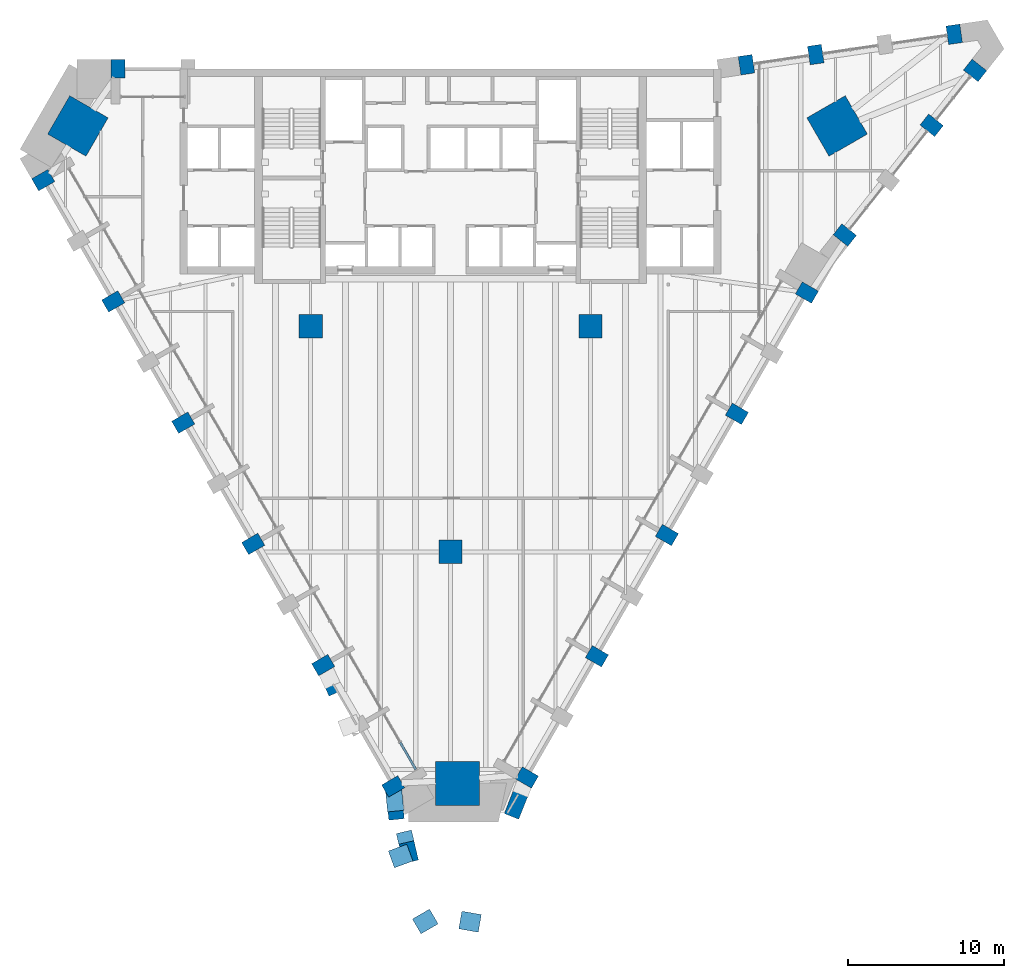
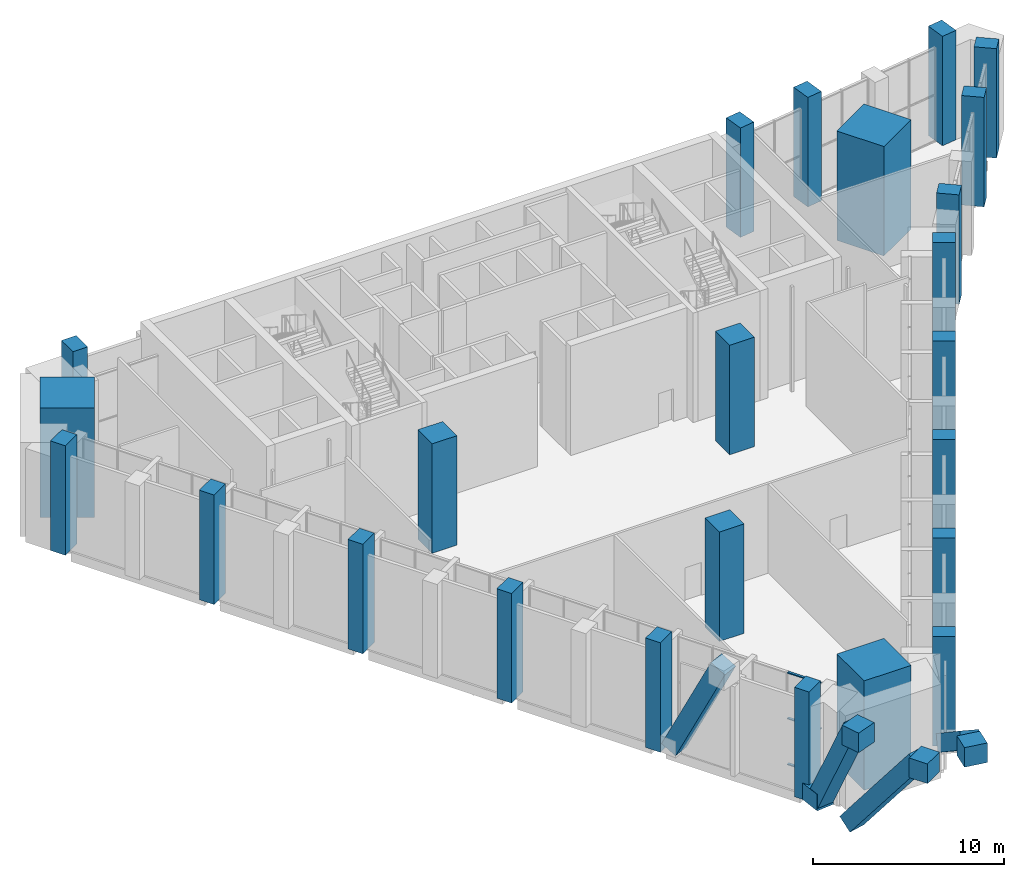
# One storey, part 1 of 17: 28 columns, 4 beams, 3 members, 1 element without a shape of its own.
"""IFC4 building model written with IfcOpenShell, lengths in metres."""

from ifc_helpers import new_model, si_unit, direction, frame, origin, origin_2d, place, context, subcontext, project, spatial, rectangle, extrude, clip, halfspace, material, material_profile, profile_set, type_object, element, aggregate, save


model = new_model("IFC4")

# Units and contexts
model_context = context("Model", 3, precision=1e-05, world=origin(), true_north=direction((0.0, 1.0)))
body_context = subcontext(model_context, "Body", "Model", "MODEL_VIEW")
ifc_project = project(units=[si_unit("LENGTHUNIT", "METRE"), si_unit("AREAUNIT", "SQUARE_METRE"), si_unit("VOLUMEUNIT", "CUBIC_METRE"), si_unit("PLANEANGLEUNIT", "RADIAN"), si_unit("MASSUNIT", "GRAM", prefix="KILO")], contexts=[model_context])

# Site, building, storey
site_placement = place(None, origin())
site = spatial("IfcSite", under=ifc_project, at=site_placement, CompositionType="ELEMENT")
building_placement = place(site_placement, origin())
building = spatial("IfcBuilding", under=site, at=building_placement, Name="Calabash Gate Tower", CompositionType="ELEMENT")
storey_placement = place(building_placement, frame((0.0, 0.0, 132.60009765625)))
storey = spatial("IfcBuildingStorey", under=building, at=storey_placement, Name="L31", CompositionType="ELEMENT", Elevation=132.60009765625)

# Columns
ifc_material_1 = material(Name="Concrete C80/95", Category="concrete")
ifc_material_profile_1 = material_profile(ifc_material_1, rectangle(XDim=1.5, YDim=1.5, at=origin_2d()))
ifc_profile_set_1 = profile_set([ifc_material_profile_1], Name="Concrete C80/95")
column_type_1 = type_object("IfcColumnType", Name="Interior column RC 1500x1500 Concrete C80/95", PredefinedType="COLUMN", material=ifc_profile_set_1)
for number, where, z_axis, x_axis, name in (
    (1, (-9.0, 2.5, 0.0), (0.0, 0.0, 1.0), (1.0, 0.0, 0.0), "Interior column L31 I0"),
    (2, (9.0, 2.5, 0.0), (0.0, 0.0, 1.0), (1.0, 0.0, 0.0), "Interior column L31 I1"),
    (3, (0.0, -12.0, 0.0), (0.0, 0.0, 1.0), (1.0, 0.0, 0.0), "Interior column L31 I2"),
):
    element("IfcColumn", number, at=place(storey_placement, frame(where, z_axis=z_axis, x_axis=x_axis)), inside=storey, type_object=column_type_1, Name=name, PredefinedType="COLUMN", context=body_context, shape_type="SweptSolid", body=[
        extrude(rectangle(XDim=1.5, YDim=1.5, at=origin_2d()), origin(), (0.0, 0.0, 1.0), 7.0),
    ])
ifc_material_2 = material(Name="Concrete C80/95", Category="concrete")
ifc_material_profile_2 = material_profile(ifc_material_2, rectangle(XDim=2.85009765625, YDim=2.85009765625, at=origin_2d()))
ifc_profile_set_2 = profile_set([ifc_material_profile_2], Name="Concrete C80/95")
column_type_2 = type_object("IfcColumnType", Name="Mega column RC 2850x2850 Concrete C80/95", PredefinedType="COLUMN", material=ifc_profile_set_2)
for number, where, z_axis, x_axis, name in (
    (4, (-23.962890625, 15.382080078125, 0.0), (0.0, 0.0, 1.0), (0.866025403784, -0.5, 0.0), "Mega column L31 NW"),
    (5, (24.85205078125, 15.382080078125, 0.0), (0.0, 0.0, 1.0), (-0.866025403784, -0.5, 0.0), "Mega column L31 NE"),
    (6, (0.447021484375, -26.89306640625, 0.0), (0.0, 0.0, 1.0), (0.0, 1.0, 0.0), "Mega column L31 S"),
):
    element("IfcColumn", number, at=place(storey_placement, frame(where, z_axis=z_axis, x_axis=x_axis)), inside=storey, type_object=column_type_2, Name=name, PredefinedType="COLUMN", context=body_context, shape_type="SweptSolid", body=[
        extrude(rectangle(XDim=2.85009765625, YDim=2.85009765625, at=origin_2d()), origin(), (0.0, 0.0, 1.0), 7.0),
    ])
ifc_material_3 = material(Name="Concrete C70/85", Category="concrete")
ifc_material_profile_3 = material_profile(ifc_material_3, rectangle(XDim=0.89990234375, YDim=1.199951171875, at=origin_2d()))
ifc_profile_set_3 = profile_set([ifc_material_profile_3], Name="Concrete C70/85")
column_type_3 = type_object("IfcColumnType", Name="Perimeter column RC 900x1200 Concrete C70/85", PredefinedType="COLUMN", material=ifc_profile_set_3)
for number, where, z_axis, x_axis, name in (
    (7, (-26.18798828125, 11.89404296875, 0.0), (0.0, 0.0, 1.0), (0.5, -0.866025403784, 0.0), "Perimeter column L31 P20"),
    (8, (-21.68798828125, 4.10009765625, 0.0), (0.0, 0.0, 1.0), (0.5, -0.866025403784, 0.0), "Perimeter column L31 P00"),
    (9, (-17.18798828125, -3.694091796875, 0.0), (0.0, 0.0, 1.0), (0.5, -0.866025403784, 0.0), "Perimeter column L31 P01"),
    (10, (-12.68798828125, -11.488037109375, 0.0), (0.0, 0.0, 1.0), (0.5, -0.866025403784, 0.0), "Perimeter column L31 P02"),
    (11, (-8.18798828125, -19.281982421875, 0.0), (0.0, 0.0, 1.0), (0.5, -0.866025403784, 0.0), "Perimeter column L31 P03"),
    (12, (-3.68798828125, -27.076904296875, 0.0), (0.0, 0.0, 1.0), (0.5, -0.866025403784, 0.0), "Perimeter column L31 P05"),
    (13, (4.906982421875, -26.506103515625, 0.0), (0.0, 0.0, 1.0), (0.5, 0.866025403784, 0.0), "Perimeter column L31 P08"),
    (14, (9.406982421875, -18.7119140625, 0.0), (0.0, 0.0, 1.0), (0.5, 0.866025403784, 0.0), "Perimeter column L31 P09"),
    (15, (13.906982421875, -10.91796875, 0.0), (0.0, 0.0, 1.0), (0.5, 0.866025403784, 0.0), "Perimeter column L31 P10"),
    (16, (18.406982421875, -3.1240234375, 0.0), (0.0, 0.0, 1.0), (0.5, 0.866025403784, 0.0), "Perimeter column L31 P11"),
    (17, (22.906982421875, 4.6708984375, 0.0), (0.0, 0.0, 1.0), (0.5, 0.866025403784, 0.0), "Perimeter column L31 P12"),
    (18, (25.345947265625, 8.366943359375, 0.0), (0.0, 0.0, 1.0), (0.620301172202, 0.784363726701, 0.0), "Perimeter column L31 P13"),
    (19, (30.928955078125, 15.424072265625, 0.0), (0.0, 0.0, 1.0), (0.620301172202, 0.784363726701, 0.0), "Perimeter column L31 P21"),
    (20, (33.719970703125, 18.9541015625, 0.0), (0.0, 0.0, 1.0), (0.620301172202, 0.784363726701, 0.0), "Perimeter column L31 P22"),
    (21, (32.3798828125, 21.27587890625, 0.0), (0.0, 0.0, 1.0), (-0.989429504293, -0.145014675236, 0.0), "Perimeter column L31 P23"),
    (22, (23.47705078125, 19.970947265625, 0.0), (0.0, 0.0, 1.0), (-0.989429504293, -0.145014675236, 0.0), "Perimeter column L31 P16"),
    (23, (19.02294921875, 19.318115234375, 0.0), (0.0, 0.0, 1.0), (-0.989429504293, -0.145014675236, 0.0), "Perimeter column L31 P24"),
    (24, (-21.39697265625, 19.052978515625, 0.0), (0.0, 0.0, 1.0), (-1.0, 0.0, 0.0), "Perimeter column L31 P17"),
):
    element("IfcColumn", number, at=place(storey_placement, frame(where, z_axis=z_axis, x_axis=x_axis)), inside=storey, type_object=column_type_3, Name=name, PredefinedType="COLUMN", context=body_context, shape_type="SweptSolid", body=[
        extrude(rectangle(XDim=0.89990234375, YDim=1.199951171875, at=origin_2d()), origin(), (0.0, 0.0, 1.0), 7.0),
    ])
ifc_material_4 = material(Name="Concrete C80/95", Category="concrete")
ifc_material_profile_4 = material_profile(ifc_material_4, rectangle(XDim=1.0, YDim=1.0, at=origin_2d()))
ifc_profile_set_4 = profile_set([ifc_material_profile_4], Name="Concrete C80/95")
column_type_4 = type_object("IfcColumnType", Name="Prow kicker column RC 1000x1000 Concrete C80/95", PredefinedType="COLUMN", material=ifc_profile_set_4)
column_1_placement = place(storey_placement, frame((-7.77294921875, -20.1708984375, 0.31982421875), z_axis=(0.185133407867, -0.398791803578, 0.898159628735), x_axis=(-0.378191681892, 0.81465438711, 0.439669513737)))
element("IfcColumn", 25, at=column_1_placement, inside=storey, type_object=column_type_4, Name="Prow kicker column L31 KP25", PredefinedType="COLUMN", context=body_context, shape_type="Clipping", body=[
    clip(extrude(rectangle(XDim=1.0, YDim=1.0, at=origin_2d()), origin(), (0.0, 0.0, 1.0), 7.437744140625), halfspace(frame((0.0, 0.0, 7.188720703125), z_axis=(0.0, 0.0, 1.0), x_axis=(1.0, 0.0, 0.0)), False)),
])
column_2_placement = place(storey_placement, frame((-3.572998046875, -28.202880859375, 0.325927734375), z_axis=(0.045860316739, -0.449104696094, 0.892301408323), x_axis=(-0.090645961486, 0.887685255573, 0.451440136347)))
element("IfcColumn", 26, at=column_2_placement, inside=storey, type_object=column_type_4, Name="Prow kicker column L31 KP26", PredefinedType="COLUMN", context=body_context, shape_type="Clipping", body=[
    clip(extrude(rectangle(XDim=1.0, YDim=1.0, at=origin_2d()), origin(), (0.0, 0.0, 1.0), 7.479736328125), halfspace(frame((0.0, 0.0, 7.22265625), z_axis=(0.0, 0.0, 1.0), x_axis=(1.0, 0.0, 0.0)), False)),
])
column_3_placement = place(storey_placement, frame((-2.9130859375, -30.3798828125, 0.0), z_axis=(0.141823053035, -0.604211055485, 0.784101538104), x_axis=(-0.179177956005, 0.763354755104, 0.620632562748)))
element("IfcColumn", 27, at=column_3_placement, inside=storey, type_object=column_type_4, Name="Prow kicker column L31 KP27", PredefinedType="COLUMN", context=body_context, shape_type="Clipping", body=[
    clip(extrude(rectangle(XDim=1.0, YDim=1.0, at=origin_2d()), origin(), (0.0, 0.0, 1.0), 8.927490234375), halfspace(frame((0.0, 0.0, 8.5263671875), z_axis=(0.0, 0.0, 1.0), x_axis=(1.0, 0.0, 0.0)), False)),
])
column_4_placement = place(storey_placement, frame((4.593017578125, -27.299072265625, 0.5068359375), z_axis=(-0.299870073147, -0.757266830289, 0.580193835692), x_axis=(0.213612493012, 0.539439143745, 0.814478430055)))
element("IfcColumn", 28, at=column_4_placement, inside=storey, type_object=column_type_4, Name="Prow kicker column L31 KP28", PredefinedType="COLUMN", context=body_context, shape_type="Clipping", body=[
    clip(extrude(rectangle(XDim=1.0, YDim=1.0, at=origin_2d()), origin(), (0.0, 0.0, 1.0), 11.19140625), halfspace(frame((0.0, 0.0, 10.482421875), z_axis=(0.0, 0.0, 1.0), x_axis=(1.0, 0.0, 0.0)), False)),
])

# Beams
ifc_material_5 = material(Name="Concrete C80/95", Category="concrete")
ifc_material_profile_5 = material_profile(ifc_material_5, rectangle(XDim=1.050048828125, YDim=1.050048828125, at=origin_2d()))
ifc_profile_set_5 = profile_set([ifc_material_profile_5], Name="Concrete C80/95")
beam_type_1 = type_object("IfcBeamType", Name="Transfer node RC 1050x1050 Concrete C80/95", PredefinedType="BEAM", material=ifc_profile_set_5)
beam_1_placement = place(storey_placement, frame((-3.68798828125, -27.076904296875, 0.52685546875), z_axis=(0.10142421772, -0.994843268088, 0.0), x_axis=(0.994843268088, 0.10142421772, 0.0)))
element("IfcBeam", 29, at=beam_1_placement, inside=storey, type_object=beam_type_1, Name="Transfer node L32 prow foot P26", PredefinedType="BEAM", context=body_context, shape_type="SweptSolid", body=[
    extrude(rectangle(XDim=1.050048828125, YDim=1.050048828125, at=origin_2d()), origin(), (0.0, 0.0, 1.0), 1.598388671875),
])
ifc_material_6 = material(Name="Concrete C80/95", Category="concrete")
ifc_material_profile_6 = material_profile(ifc_material_6, rectangle(XDim=1.10009765625, YDim=1.25, at=origin_2d()))
ifc_profile_set_6 = profile_set([ifc_material_profile_6], Name="Concrete C80/95")
beam_type_2 = type_object("IfcBeamType", Name="Transfer node RC 1100x1250 Concrete C80/95", PredefinedType="BEAM", material=ifc_profile_set_6)
beam_2_placement = place(storey_placement, frame((-2.177001953125, -36.080078125, 6.376953125), z_axis=(0.865404369549, 0.501074123425, 0.0), x_axis=(-0.501074123425, 0.865404369549, 0.0)))
element("IfcBeam", 30, at=beam_2_placement, inside=storey, type_object=beam_type_2, Name="Transfer node L32 prow head P27", PredefinedType="BEAM", context=body_context, shape_type="SweptSolid", body=[
    extrude(rectangle(XDim=1.10009765625, YDim=1.25, at=origin_2d()), origin(), (0.0, 0.0, 1.0), 1.271240234375),
])
ifc_material_7 = material(Name="Concrete C80/95", Category="concrete")
ifc_material_profile_7 = material_profile(ifc_material_7, rectangle(XDim=1.14990234375, YDim=1.25, at=origin_2d()))
ifc_profile_set_7 = profile_set([ifc_material_profile_7], Name="Concrete C80/95")
beam_type_3 = type_object("IfcBeamType", Name="Transfer node RC 1150x1250 Concrete C80/95", PredefinedType="BEAM", material=ifc_profile_set_7)
beam_3_placement = place(storey_placement, frame((-3.806884765625, -31.77197265625, 6.376953125), z_axis=(0.939557584951, 0.342390923596, 0.0), x_axis=(-0.342390923596, 0.939557584951, 0.0)))
element("IfcBeam", 31, at=beam_3_placement, inside=storey, type_object=beam_type_3, Name="Transfer node L32 prow head P26", PredefinedType="BEAM", context=body_context, shape_type="SweptSolid", body=[
    extrude(rectangle(XDim=1.14990234375, YDim=1.25, at=origin_2d()), origin(), (0.0, 0.0, 1.0), 1.270751953125),
])
beam_4_placement = place(storey_placement, frame((1.8779296875, -35.886962890625, 6.376953125), z_axis=(-0.984866714313, 0.173313458906, 0.0), x_axis=(-0.173313458906, -0.984866714313, 0.0)))
element("IfcBeam", 32, at=beam_4_placement, inside=storey, type_object=beam_type_3, Name="Transfer node L32 prow head P28", PredefinedType="BEAM", context=body_context, shape_type="SweptSolid", body=[
    extrude(rectangle(XDim=1.14990234375, YDim=1.25, at=origin_2d()), origin(), (0.0, 0.0, 1.0), 1.269287109375),
])

# Curtain wall, members
ifc_material_8 = material(Name="Anodised aluminium frame, bronze finish, clear laminated low-emissivity glazing", Category="aluminium")
curtain_wall_type = type_object("IfcCurtainWallType", Name="Curtain wall CWS sky lobby wall", PredefinedType="NOTDEFINED", material=ifc_material_8)
curtain_wall_placement = place(storey_placement, origin())
curtain_wall = element("IfcCurtainWall", 33, at=curtain_wall_placement, inside=storey, type_object=curtain_wall_type, Name="Curtain wall CWS L31 SW0.10", PredefinedType="NOTDEFINED")
ifc_material_9 = material(Name="Anodised aluminium frame, bronze finish", Category="aluminium")
ifc_material_profile_8 = material_profile(ifc_material_9, rectangle(XDim=0.14990234375, YDim=0.06494140625, at=origin_2d()))
ifc_profile_set_8 = profile_set([ifc_material_profile_8], Name="Anodised aluminium frame, bronze finish")
member_type = type_object("IfcMemberType", Name="Transom CWS 65x150", PredefinedType="USERDEFINED", material=ifc_profile_set_8)
member_1_placement = place(storey_placement, frame((-3.238037109375, -24.25634765625, 0.032470703125), z_axis=(0.500007410291, -0.866021125408, 0.0), x_axis=(0.866021125408, 0.500007410291, 0.0)))
member_1 = element("IfcMember", 34, at=member_1_placement, type_object=member_type, Name="CWS transom 2.1", ObjectType="TRANSOM", PredefinedType="USERDEFINED", context=body_context, shape_type="SweptSolid", body=[
    extrude(rectangle(XDim=0.14990234375, YDim=0.06494140625, at=origin_2d()), origin(), (0.0, 0.0, 1.0), 2.00244140625),
])
member_2_placement = place(storey_placement, frame((-3.238037109375, -24.25634765625, 2.9599609375), z_axis=(0.500007410291, -0.866021125408, 0.0), x_axis=(0.866021125408, 0.500007410291, 0.0)))
member_2 = element("IfcMember", 35, at=member_2_placement, type_object=member_type, Name="CWS transom 2.2", ObjectType="TRANSOM", PredefinedType="USERDEFINED", context=body_context, shape_type="SweptSolid", body=[
    extrude(rectangle(XDim=0.14990234375, YDim=0.06494140625, at=origin_2d()), origin(), (0.0, 0.0, 1.0), 2.00244140625),
])
member_3_placement = place(storey_placement, frame((-3.238037109375, -24.25634765625, 5.887451171875), z_axis=(0.500007410291, -0.866021125408, 0.0), x_axis=(0.866021125408, 0.500007410291, 0.0)))
member_3 = element("IfcMember", 36, at=member_3_placement, type_object=member_type, Name="CWS transom 2.3", ObjectType="TRANSOM", PredefinedType="USERDEFINED", context=body_context, shape_type="SweptSolid", body=[
    extrude(rectangle(XDim=0.14990234375, YDim=0.06494140625, at=origin_2d()), origin(), (0.0, 0.0, 1.0), 2.00244140625),
])
aggregate(curtain_wall, [member_1, member_2, member_3])

save(model, "model.ifc")
